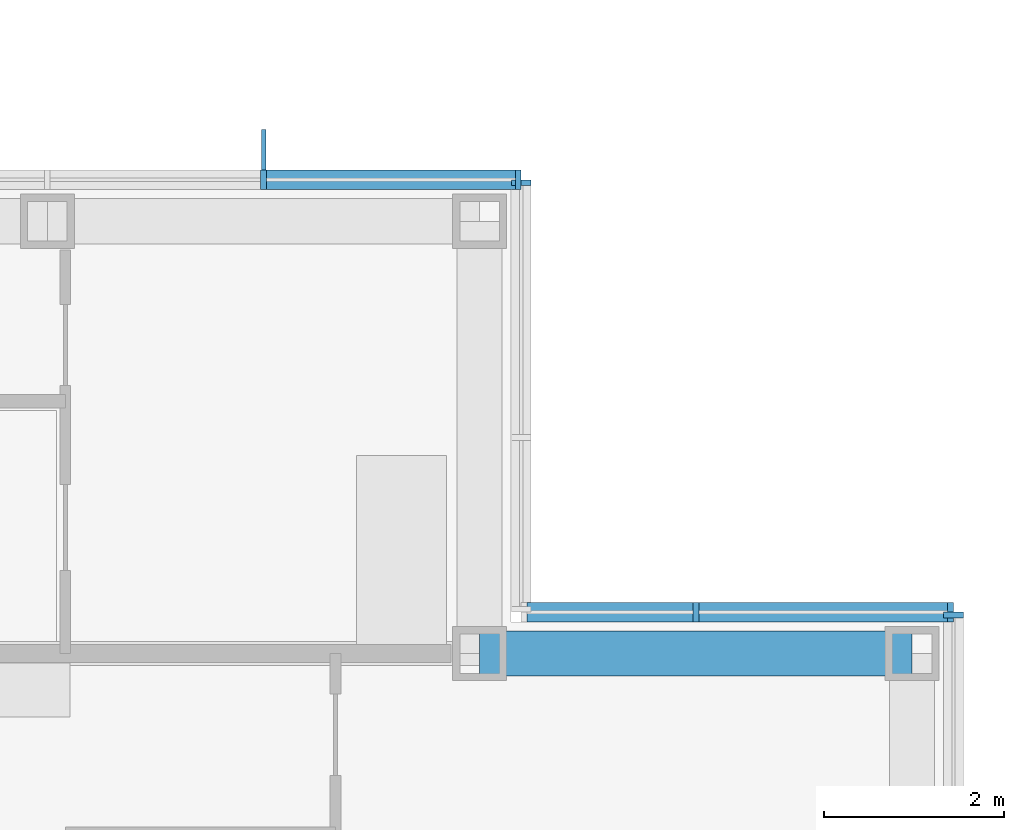
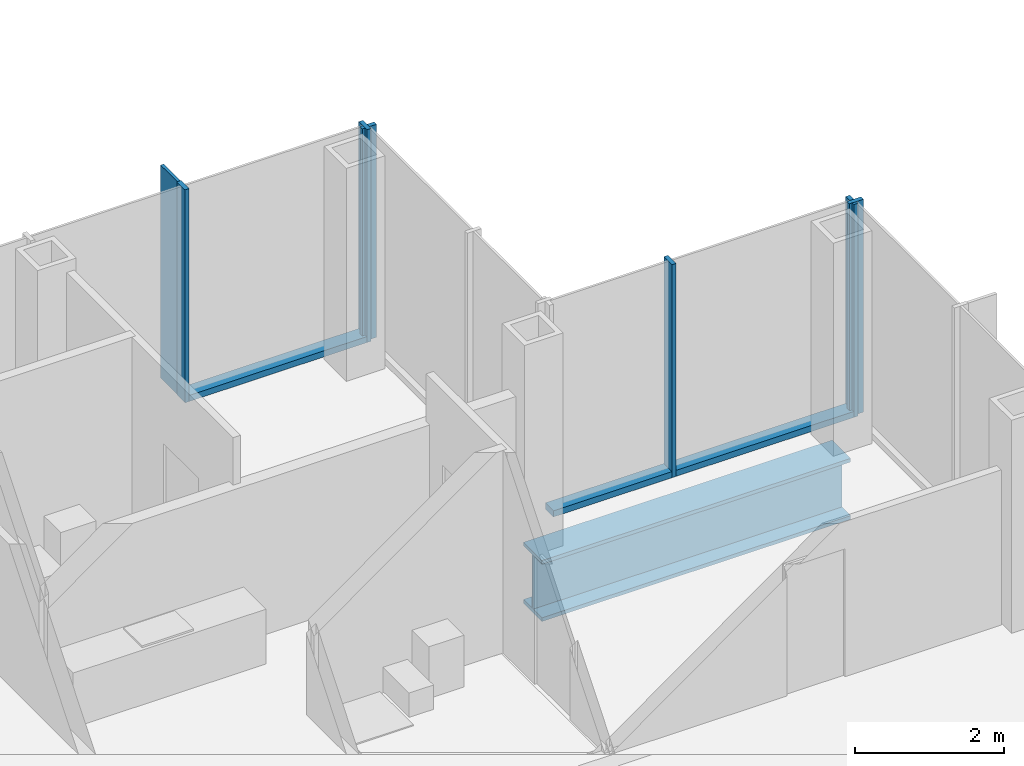
# One storey, part 9 of 20: 10 members, 1 beam, 4 elements without a shape of their own.
"""IFC4 building model written with IfcOpenShell, lengths in metres."""

from ifc_helpers import new_model, si_unit, direction, frame, origin, origin_2d, place, context, subcontext, project, spatial, rectangle, i_section, extrude, material, material_profile, profile_set, type_object, element, aggregate, save


model = new_model("IFC4")

# Units and contexts
model_context = context("Model", 3, precision=1e-05, world=origin(), true_north=direction((0.0, 1.0)))
body_context = subcontext(model_context, "Body", "Model", "MODEL_VIEW")
ifc_project = project(units=[si_unit("LENGTHUNIT", "METRE"), si_unit("AREAUNIT", "SQUARE_METRE"), si_unit("VOLUMEUNIT", "CUBIC_METRE"), si_unit("PLANEANGLEUNIT", "RADIAN"), si_unit("MASSUNIT", "GRAM", prefix="KILO")], contexts=[model_context])

# Site, building, storey
site_placement = place(None, origin())
site = spatial("IfcSite", under=ifc_project, at=site_placement, CompositionType="ELEMENT")
building_placement = place(site_placement, origin())
building = spatial("IfcBuilding", under=site, at=building_placement, Name="Kvirike Care Tower", CompositionType="ELEMENT")
storey_placement = place(building_placement, frame((0.0, 0.0, 112.0)))
storey = spatial("IfcBuildingStorey", under=building, at=storey_placement, Name="L30", CompositionType="ELEMENT", Elevation=112.0)

# Curtain wall, member
ifc_material_1 = material(Name="Anodised aluminium stick system", Category="aluminium")
curtain_wall_type = type_object("IfcCurtainWallType", Name="CW-B STICK CURTAIN WALL", PredefinedType="NOTDEFINED", material=ifc_material_1)
curtain_wall_1_placement = place(storey_placement, origin())
curtain_wall_1 = element("IfcCurtainWall", 1, at=curtain_wall_1_placement, inside=storey, type_object=curtain_wall_type, Name="Curtain wall L30 face 4", PredefinedType="NOTDEFINED")
ifc_material_2 = material(Name="Bronze anodised aluminium fin", Category="aluminium")
ifc_material_profile_1 = material_profile(ifc_material_2, rectangle(XDim=0.050048828125, YDim=0.449951171875, at=origin_2d()), Name="BRONZE FIN 450")
ifc_profile_set_1 = profile_set([ifc_material_profile_1], Name="Bronze anodised aluminium fin")
member_type_1 = type_object("IfcMemberType", Name="BRONZE FIN 450", PredefinedType="USERDEFINED", material=ifc_profile_set_1)
member_1_placement = place(storey_placement, frame((36.0, 43.9951171875, 0.0), z_axis=(0.0, 0.0, 1.0), x_axis=(-1.0, 0.0, 0.0)))
member_1 = element("IfcMember", 2, at=member_1_placement, type_object=member_type_1, Name="Bronze fin L30 face 4.2", ObjectType="FIN", PredefinedType="USERDEFINED", context=body_context, shape_type="SweptSolid", body=[
    extrude(rectangle(XDim=0.050048828125, YDim=0.449951171875, at=origin_2d()), origin(), (0.0, 0.0, 1.0), 3.5),
])

curtain_wall_2_placement = place(storey_placement, origin())
curtain_wall_2 = element("IfcCurtainWall", 3, at=curtain_wall_2_placement, inside=storey, type_object=curtain_wall_type, Name="Curtain wall L30 face 1", PredefinedType="NOTDEFINED")
ifc_material_3 = material(Name="Bronze anodised aluminium mullion", Category="aluminium")
ifc_material_profile_2 = material_profile(ifc_material_3, rectangle(XDim=0.06494140625, YDim=0.219970703125, at=origin_2d()), Name="CW-B MULLION 65x220")
ifc_profile_set_2 = profile_set([ifc_material_profile_2], Name="Bronze anodised aluminium mullion")
member_type_2 = type_object("IfcMemberType", Name="CW-B MULLION 65x220", PredefinedType="MULLION", material=ifc_profile_set_2)
member_2_placement = place(storey_placement, frame((43.659912109375, 38.827392578125, 0.0), z_axis=(0.0, 0.0, 1.0), x_axis=(0.0, 1.0, 0.0)))
member_2 = element("IfcMember", 4, at=member_2_placement, type_object=member_type_2, Name="CW-B mullion L30 face 1.9", PredefinedType="MULLION", context=body_context, shape_type="SweptSolid", body=[
    extrude(rectangle(XDim=0.06494140625, YDim=0.219970703125, at=origin_2d()), origin(), (0.0, 0.0, 1.0), 3.5),
])
aggregate(curtain_wall_2, [member_2])

# Curtain wall, members
curtain_wall_3_placement = place(storey_placement, origin())
curtain_wall_3 = element("IfcCurtainWall", 5, at=curtain_wall_3_placement, inside=storey, type_object=curtain_wall_type, Name="Curtain wall L30 face 2", PredefinedType="NOTDEFINED")
member_3_placement = place(storey_placement, frame((43.62744140625, 38.860107421875, 0.0), z_axis=(0.0, 0.0, 1.0), x_axis=(-1.0, 0.0, 0.0)))
member_3 = element("IfcMember", 6, at=member_3_placement, type_object=member_type_2, Name="CW-B mullion L30 face 2.1", PredefinedType="MULLION", context=body_context, shape_type="SweptSolid", body=[
    extrude(rectangle(XDim=0.06494140625, YDim=0.219970703125, at=origin_2d()), origin(), (0.0, 0.0, 1.0), 3.5),
])
member_4_placement = place(storey_placement, frame((40.800048828125, 38.860107421875, 0.0), z_axis=(0.0, 0.0, 1.0), x_axis=(-1.0, 0.0, 0.0)))
member_4 = element("IfcMember", 7, at=member_4_placement, type_object=member_type_2, Name="CW-B mullion L30 face 2.2", PredefinedType="MULLION", context=body_context, shape_type="SweptSolid", body=[
    extrude(rectangle(XDim=0.06494140625, YDim=0.219970703125, at=origin_2d()), origin(), (0.0, 0.0, 1.0), 3.5),
])

# Curtain wall, member
curtain_wall_4_placement = place(storey_placement, origin())
curtain_wall_4 = element("IfcCurtainWall", 8, at=curtain_wall_4_placement, inside=storey, type_object=curtain_wall_type, Name="Curtain wall L30 face 3", PredefinedType="NOTDEFINED")
member_5_placement = place(storey_placement, frame((38.860107421875, 43.62744140625, 0.0), z_axis=(0.0, 0.0, 1.0), x_axis=(0.0, 1.0, 0.0)))
member_5 = element("IfcMember", 9, at=member_5_placement, type_object=member_type_2, Name="CW-B mullion L30 face 3.3", PredefinedType="MULLION", context=body_context, shape_type="SweptSolid", body=[
    extrude(rectangle(XDim=0.06494140625, YDim=0.219970703125, at=origin_2d()), origin(), (0.0, 0.0, 1.0), 3.5),
])
aggregate(curtain_wall_4, [member_5])

# Member
member_6_placement = place(storey_placement, frame((38.827392578125, 43.659912109375, 0.0), z_axis=(0.0, 0.0, 1.0), x_axis=(-1.0, 0.0, 0.0)))
member_6 = element("IfcMember", 10, at=member_6_placement, type_object=member_type_2, Name="CW-B mullion L30 face 4.1", PredefinedType="MULLION", context=body_context, shape_type="SweptSolid", body=[
    extrude(rectangle(XDim=0.06494140625, YDim=0.219970703125, at=origin_2d()), origin(), (0.0, 0.0, 1.0), 3.5),
])

member_7_placement = place(storey_placement, frame((36.0, 43.659912109375, 0.0), z_axis=(0.0, 0.0, 1.0), x_axis=(-1.0, 0.0, 0.0)))
member_7 = element("IfcMember", 11, at=member_7_placement, type_object=member_type_2, Name="CW-B mullion L30 face 4.2", PredefinedType="MULLION", context=body_context, shape_type="SweptSolid", body=[
    extrude(rectangle(XDim=0.06494140625, YDim=0.219970703125, at=origin_2d()), origin(), (0.0, 0.0, 1.0), 3.5),
])

ifc_material_4 = material(Name="Bronze anodised aluminium transom", Category="aluminium")
ifc_material_profile_3 = material_profile(ifc_material_4, rectangle(XDim=0.219970703125, YDim=0.10009765625, at=origin_2d()), Name="CW-B TRANSOM 220x100")
ifc_profile_set_3 = profile_set([ifc_material_profile_3], Name="Bronze anodised aluminium transom")
member_type_3 = type_object("IfcMemberType", Name="CW-B TRANSOM 220x100", PredefinedType="USERDEFINED", material=ifc_profile_set_3)
member_8_placement = place(storey_placement, frame((43.594970703125, 38.860107421875, 0.050048828125), z_axis=(-1.0, 0.0, 0.0), x_axis=(0.0, -1.0, 0.0)))
member_8 = element("IfcMember", 12, at=member_8_placement, type_object=member_type_3, Name="CW-B sill transom L30 face 2.1", ObjectType="TRANSOM", PredefinedType="USERDEFINED", context=body_context, shape_type="SweptSolid", body=[
    extrude(rectangle(XDim=0.219970703125, YDim=0.10009765625, at=origin_2d()), origin(), (0.0, 0.0, 1.0), 2.762451171875),
])

member_9_placement = place(storey_placement, frame((40.767578125, 38.860107421875, 0.050048828125), z_axis=(-1.0, 0.0, 0.0), x_axis=(0.0, -1.0, 0.0)))
member_9 = element("IfcMember", 13, at=member_9_placement, type_object=member_type_3, Name="CW-B sill transom L30 face 2.2", ObjectType="TRANSOM", PredefinedType="USERDEFINED", context=body_context, shape_type="SweptSolid", body=[
    extrude(rectangle(XDim=0.219970703125, YDim=0.10009765625, at=origin_2d()), origin(), (0.0, 0.0, 1.0), 1.842529296875),
])

aggregate(curtain_wall_3, [member_3, member_4, member_8, member_9])

member_10_placement = place(storey_placement, frame((38.794921875, 43.659912109375, 0.050048828125), z_axis=(-1.0, 0.0, 0.0), x_axis=(0.0, -1.0, 0.0)))
member_10 = element("IfcMember", 14, at=member_10_placement, type_object=member_type_3, Name="CW-B sill transom L30 face 4.1", ObjectType="TRANSOM", PredefinedType="USERDEFINED", context=body_context, shape_type="SweptSolid", body=[
    extrude(rectangle(XDim=0.219970703125, YDim=0.10009765625, at=origin_2d()), origin(), (0.0, 0.0, 1.0), 2.762451171875),
])

aggregate(curtain_wall_1, [member_6, member_7, member_1, member_10])

# Beam
ifc_material_5 = material(Name="Steel S355", Category="steel")
ifc_material_profile_4 = material_profile(ifc_material_5, i_section(OverallWidth=0.5, OverallDepth=1.0, WebThickness=0.030029296875, FlangeThickness=0.06005859375, at=origin_2d()), Name="PG 1000x500x30x60")
ifc_profile_set_4 = profile_set([ifc_material_profile_4], Name="Steel S355")
beam_type = type_object("IfcBeamType", Name="SPANDREL PG 1000x500x30x60", PredefinedType="SPANDREL", material=ifc_profile_set_4)
beam_placement = place(storey_placement, frame((38.39990234375, 38.39990234375, -0.669921875), z_axis=(1.0, 0.0, 0.0), x_axis=(0.0, 1.0, 0.0)))
element("IfcBeam", 15, at=beam_placement, inside=storey, type_object=beam_type, Name="Spandrel J11-J12 L30", PredefinedType="SPANDREL", context=body_context, shape_type="SweptSolid", body=[
    extrude(i_section(OverallWidth=0.5, OverallDepth=1.0, WebThickness=0.030029296875, FlangeThickness=0.06005859375, at=origin_2d()), origin(), (0.0, 0.0, 1.0), 4.800048828125),
])

save(model, "model.ifc")
